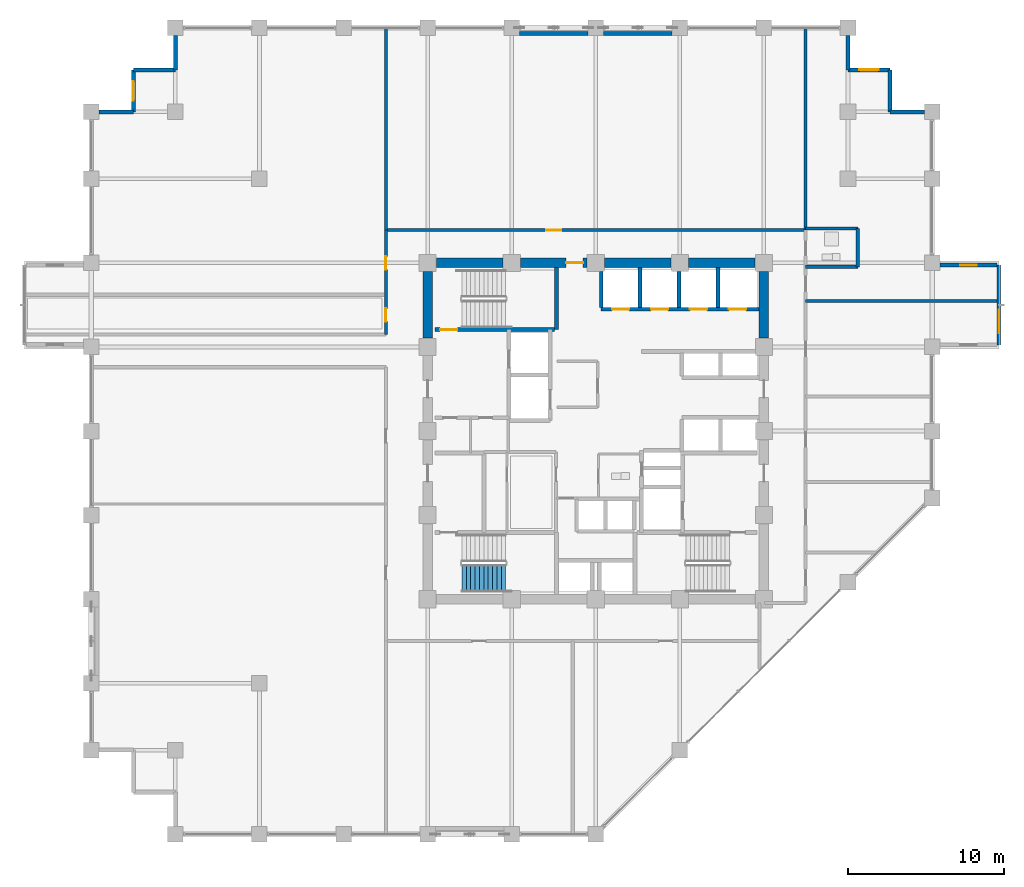
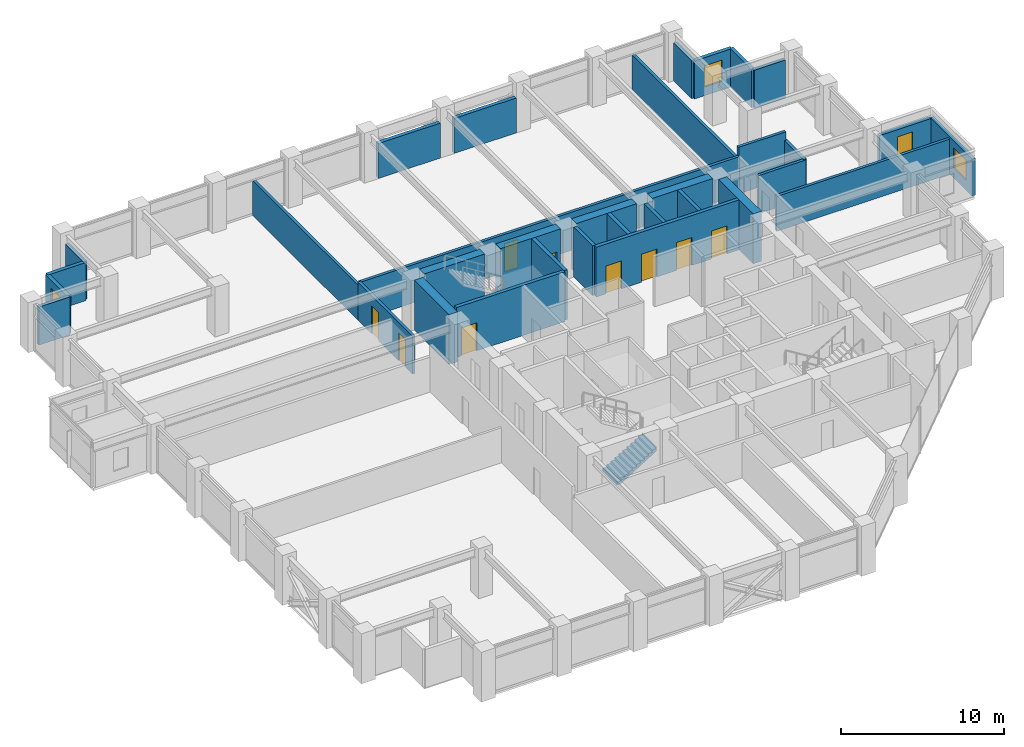
# One storey, part 24 of 29: 33 walls, 9 doors, 4 windows, 1 stair flight, 13 openings, 1 element without a shape of its own.
"""IFC4 building model written with IfcOpenShell, lengths in metres."""

from ifc_helpers import new_model, si_unit, direction, frame, frame_2d, origin, place, context, subcontext, project, spatial, polyline, rectangle, outline, extrude, material, layer, layer_set, type_object, element, fill, aggregate, save


model = new_model("IFC4")

# Units and contexts
model_context = context("Model", 3, precision=1e-05, world=origin(), true_north=direction((0.0, 1.0)))
body_context = subcontext(model_context, "Body", "Model", "MODEL_VIEW")
ifc_project = project(units=[si_unit("LENGTHUNIT", "METRE"), si_unit("AREAUNIT", "SQUARE_METRE"), si_unit("VOLUMEUNIT", "CUBIC_METRE"), si_unit("PLANEANGLEUNIT", "RADIAN"), si_unit("MASSUNIT", "GRAM", prefix="KILO")], contexts=[model_context])

# Site, building, storey
site_placement = place(None, origin())
site = spatial("IfcSite", under=ifc_project, at=site_placement, CompositionType="ELEMENT")
building_placement = place(site_placement, origin())
building = spatial("IfcBuilding", under=site, at=building_placement, Name="Surkhivell Harbour Commons", CompositionType="ELEMENT")
storey_placement = place(building_placement, frame((0.0, 0.0, 158.25)))
storey = spatial("IfcBuildingStorey", under=building, at=storey_placement, Name="L41", CompositionType="ELEMENT", Elevation=158.25)

# Wall
ifc_material_1 = material(Name="Concrete C60/75", Category="concrete")
ifc_layer_1 = layer(ifc_material_1, 0.60009765625)
ifc_layer_set_1 = layer_set([ifc_layer_1], Name="Concrete C60/75")
wall_type_1 = type_object("IfcWallType", Name="WAL-CORE-600", PredefinedType="SHEAR", material=ifc_layer_set_1)
wall_1_placement = place(storey_placement, frame((-10.239990234375, 10.800048828125, 0.0), z_axis=(0.0, 0.0, 1.0), x_axis=(1.0, 0.0, 0.0)))
element("IfcWall", 1, at=wall_1_placement, inside=storey, type_object=wall_type_1, Name="L41 Core Shear Wall North 1", PredefinedType="SHEAR", context=body_context, shape_type="SweptSolid", body=[
    extrude(rectangle(XDim=4.280029296875, YDim=0.60009765625, at=frame_2d((2.14013671875, 0.0))), origin(), (0.0, 0.0, 1.0), 3.75),
])

# Wall, opening, door
wall_2_placement = place(storey_placement, frame((-4.840087890625, 10.800048828125, 0.0), z_axis=(0.0, 0.0, 1.0), x_axis=(1.0, 0.0, 0.0)))
wall_2 = element("IfcWall", 2, at=wall_2_placement, inside=storey, type_object=wall_type_1, Name="L41 Core Shear Wall North 2", PredefinedType="SHEAR", context=body_context, shape_type="SweptSolid", body=[
    extrude(rectangle(XDim=4.280029296875, YDim=0.60009765625, at=frame_2d((2.14013671875, 0.0))), origin(), (0.0, 0.0, 1.0), 3.75),
])
opening_1_placement = place(wall_2_placement, frame((2.929931640625, 0.0, 0.0)))
opening_1 = element("IfcOpeningElement", 3, at=opening_1_placement, cuts=wall_2, Name="Opening ID-2", PredefinedType="OPENING", context=body_context, shape_type="SweptSolid", body=[
    extrude(rectangle(XDim=1.10009765625, YDim=2.10009765625, at=frame_2d((0.550048828125, 1.050048828125))), frame((0.0, 0.31005859375, 0.0), z_axis=(0.0, -1.0, 0.0), x_axis=(1.0, 0.0, 0.0)), (0.0, 0.0, 1.0), 0.6201171875),
])
ifc_material_2 = material(Name="Hardwood-veneered fire-rated door leaf", Category="wood")
door_type_1 = type_object("IfcDoorType", Name="DOR-FD60-1100", OperationType="NOTDEFINED", PredefinedType="DOOR", material=ifc_material_2)
door_1_placement = place(opening_1_placement, origin())
door_1 = element("IfcDoor", 4, at=door_1_placement, inside=storey, type_object=door_type_1, Name="L41 Central Core Lift Hall North Corridor Door", OperationType="SINGLE_SWING_LEFT", OverallHeight=2.10009765625, OverallWidth=1.10009765625, PredefinedType="DOOR", context=body_context, shape_type="SweptSolid", body=[
    extrude(rectangle(XDim=1.10009765625, YDim=2.10009765625, at=frame_2d((0.550048828125, 1.050048828125))), frame((0.0, 0.02490234375, 0.0), z_axis=(0.0, -1.0, 0.0), x_axis=(1.0, 0.0, 0.0)), (0.0, 0.0, 1.0), 0.050048828125),
])
fill(opening_1, door_1)

# Walls
for number, where, z_axis, x_axis, name in (
    (5, (0.56005859375, 10.800048828125, 0.0), (0.0, 0.0, 1.0), (1.0, 0.0, 0.0), "L41 Core Shear Wall North 3"),
    (6, (5.9599609375, 10.800048828125, 0.0), (0.0, 0.0, 1.0), (1.0, 0.0, 0.0), "L41 Core Shear Wall North 4"),
    (7, (-10.800048828125, 5.9599609375, 0.0), (0.0, 0.0, 1.0), (0.0, 1.0, 0.0), "L41 Core Shear Wall West 4"),
    (8, (10.800048828125, 5.9599609375, 0.0), (0.0, 0.0, 1.0), (0.0, 1.0, 0.0), "L41 Core Shear Wall East 4"),
):
    element("IfcWall", number, at=place(storey_placement, frame(where, z_axis=z_axis, x_axis=x_axis)), inside=storey, type_object=wall_type_1, Name=name, PredefinedType="SHEAR", context=body_context, shape_type="SweptSolid", body=[
        extrude(rectangle(XDim=4.280029296875, YDim=0.60009765625, at=frame_2d((2.14013671875, 0.0))), origin(), (0.0, 0.0, 1.0), 3.75),
    ])
ifc_material_3 = material(Name="Pale-metal insulated precast concrete C45/55", Category="concrete")
ifc_layer_2 = layer(ifc_material_3, 0.260009765625)
ifc_layer_set_2 = layer_set([ifc_layer_2], Name="Pale-metal insulated precast concrete C45/55")
wall_type_2 = type_object("IfcWallType", Name="WAL-EXT-MTL260", PredefinedType="STANDARD", material=ifc_layer_set_2)
wall_3_placement = place(storey_placement, frame((21.10205078125, 20.5, 0.0), z_axis=(0.0, 0.0, 1.0), x_axis=(-1.0, 0.0, 0.0)))
element("IfcWall", 9, at=wall_3_placement, inside=storey, type_object=wall_type_2, Name="L41 Serrated Corner Facade Wall 03", PredefinedType="STANDARD", context=body_context, shape_type="SweptSolid", body=[
    extrude(rectangle(XDim=2.2021484375, YDim=0.260009765625, at=frame_2d((1.10107421875, 0.0))), origin(), (0.0, 0.0, 1.0), 2.863037109375),
])
wall_4_placement = place(storey_placement, frame((18.89990234375, 20.5, 0.0), z_axis=(0.0, 0.0, 1.0), x_axis=(0.0, 1.0, 0.0)))
element("IfcWall", 10, at=wall_4_placement, inside=storey, type_object=wall_type_2, Name="L41 Serrated Corner Facade Wall 04", PredefinedType="STANDARD", context=body_context, shape_type="SweptSolid", body=[
    extrude(rectangle(XDim=2.699951171875, YDim=0.260009765625, at=frame_2d((1.35009765625, 0.0))), origin(), (0.0, 0.0, 1.0), 2.863037109375),
])

# Wall, opening, window
wall_5_placement = place(storey_placement, frame((18.89990234375, 23.199951171875, 0.0), z_axis=(0.0, 0.0, 1.0), x_axis=(-1.0, 0.0, 0.0)))
wall_5 = element("IfcWall", 11, at=wall_5_placement, inside=storey, type_object=wall_type_2, Name="L41 Serrated Corner Facade Wall 05", PredefinedType="STANDARD", context=body_context, shape_type="SweptSolid", body=[
    extrude(rectangle(XDim=2.699951171875, YDim=0.260009765625, at=frame_2d((1.35009765625, 0.0))), origin(), (0.0, 0.0, 1.0), 2.863037109375),
])
opening_2_placement = place(wall_5_placement, frame((0.72509765625, 0.0, 0.64990234375)))
opening_2 = element("IfcOpeningElement", 12, at=opening_2_placement, cuts=wall_5, Name="Opening WN-09", PredefinedType="OPENING", context=body_context, shape_type="SweptSolid", body=[
    extrude(rectangle(XDim=1.25, YDim=1.60009765625, at=frame_2d((0.625, 0.800048828125))), frame((0.0, 0.139892578125, 0.0), z_axis=(0.0, -1.0, 0.0), x_axis=(1.0, 0.0, 0.0)), (0.0, 0.0, 1.0), 0.280029296875),
])
ifc_material_4 = material(Name="Thermal-break aluminium frame and double low-E glazing", Category="aluminium")
window_type_1 = type_object("IfcWindowType", Name="WIN-SER-1250x1600", PartitioningType="SINGLE_PANEL", PredefinedType="WINDOW", material=ifc_material_4)
window_1_placement = place(opening_2_placement, origin())
window_1 = element("IfcWindow", 13, at=window_1_placement, inside=storey, type_object=window_type_1, Name="L41 Serrated Alcove Window 05", OverallHeight=1.60009765625, OverallWidth=1.25, PartitioningType="SINGLE_PANEL", PredefinedType="WINDOW", context=body_context, shape_type="SweptSolid", body=[
    extrude(rectangle(XDim=1.25, YDim=1.60009765625, at=frame_2d((0.625, 0.800048828125))), frame((0.0, 0.030029296875, 0.0), z_axis=(0.0, -1.0, 0.0), x_axis=(1.0, 0.0, 0.0)), (0.0, 0.0, 1.0), 0.06005859375),
])
fill(opening_2, window_1)

# Walls
wall_6_placement = place(storey_placement, frame((16.199951171875, 23.199951171875, 0.0), z_axis=(0.0, 0.0, 1.0), x_axis=(0.0, 1.0, 0.0)))
element("IfcWall", 14, at=wall_6_placement, inside=storey, type_object=wall_type_2, Name="L41 Serrated Corner Facade Wall 06", PredefinedType="STANDARD", context=body_context, shape_type="SweptSolid", body=[
    extrude(rectangle(XDim=2.2021484375, YDim=0.260009765625, at=frame_2d((1.10107421875, 0.0))), origin(), (0.0, 0.0, 1.0), 2.863037109375),
])
for number, where, z_axis, x_axis, name in (
    (15, (-0.498046875, 25.5400390625, 0.0), (0.0, 0.0, 1.0), (-1.0, 0.0, 0.0), "L41 Braced-Bay Insulated Spandrel Backing N"),
    (16, (4.902099609375, 25.5400390625, 0.0), (0.0, 0.0, 1.0), (-1.0, 0.0, 0.0), "L41 Braced-Bay Insulated Spandrel Backing N2"),
):
    element("IfcWall", number, at=place(storey_placement, frame(where, z_axis=z_axis, x_axis=x_axis)), inside=storey, type_object=wall_type_2, Name=name, PredefinedType="STANDARD", context=body_context, shape_type="SweptSolid", body=[
        extrude(rectangle(XDim=4.404052734375, YDim=0.260009765625, at=frame_2d((2.2021484375, 0.0))), origin(), (0.0, 0.0, 1.0), 2.62890625),
    ])
wall_7_placement = place(storey_placement, frame((-27.0, 25.402099609375, 0.0), z_axis=(0.0, 0.0, 1.0), x_axis=(0.0, -1.0, 0.0)))
element("IfcWall", 17, at=wall_7_placement, inside=storey, type_object=wall_type_2, Name="L41 Serrated Corner Facade Wall 08", PredefinedType="STANDARD", context=body_context, shape_type="SweptSolid", body=[
    extrude(rectangle(XDim=2.2021484375, YDim=0.260009765625, at=frame_2d((1.10107421875, 0.0))), origin(), (0.0, 0.0, 1.0), 2.863037109375),
])
wall_8_placement = place(storey_placement, frame((-27.0, 23.199951171875, 0.0), z_axis=(0.0, 0.0, 1.0), x_axis=(-1.0, 0.0, 0.0)))
element("IfcWall", 18, at=wall_8_placement, inside=storey, type_object=wall_type_2, Name="L41 Serrated Corner Facade Wall 09", PredefinedType="STANDARD", context=body_context, shape_type="SweptSolid", body=[
    extrude(rectangle(XDim=2.699951171875, YDim=0.260009765625, at=frame_2d((1.35009765625, 0.0))), origin(), (0.0, 0.0, 1.0), 2.863037109375),
])

# Wall, opening, window
wall_9_placement = place(storey_placement, frame((-29.699951171875, 23.199951171875, 0.0), z_axis=(0.0, 0.0, 1.0), x_axis=(0.0, -1.0, 0.0)))
wall_9 = element("IfcWall", 19, at=wall_9_placement, inside=storey, type_object=wall_type_2, Name="L41 Serrated Corner Facade Wall 10", PredefinedType="STANDARD", context=body_context, shape_type="SweptSolid", body=[
    extrude(rectangle(XDim=2.699951171875, YDim=0.260009765625, at=frame_2d((1.35009765625, 0.0))), origin(), (0.0, 0.0, 1.0), 2.863037109375),
])
opening_3_placement = place(wall_9_placement, frame((0.72509765625, 0.0, 0.64990234375)))
opening_3 = element("IfcOpeningElement", 20, at=opening_3_placement, cuts=wall_9, Name="Opening WN-09", PredefinedType="OPENING", context=body_context, shape_type="SweptSolid", body=[
    extrude(rectangle(XDim=1.25, YDim=1.60009765625, at=frame_2d((0.625, 0.800048828125))), frame((0.0, 0.139892578125, 0.0), z_axis=(0.0, -1.0, 0.0), x_axis=(1.0, 0.0, 0.0)), (0.0, 0.0, 1.0), 0.280029296875),
])
window_2_placement = place(opening_3_placement, origin())
window_2 = element("IfcWindow", 21, at=window_2_placement, inside=storey, type_object=window_type_1, Name="L41 Serrated Alcove Window 10", OverallHeight=1.60009765625, OverallWidth=1.25, PartitioningType="SINGLE_PANEL", PredefinedType="WINDOW", context=body_context, shape_type="SweptSolid", body=[
    extrude(rectangle(XDim=1.25, YDim=1.60009765625, at=frame_2d((0.625, 0.800048828125))), frame((0.0, 0.030029296875, 0.0), z_axis=(0.0, -1.0, 0.0), x_axis=(1.0, 0.0, 0.0)), (0.0, 0.0, 1.0), 0.06005859375),
])
fill(opening_3, window_2)

# Wall
wall_10_placement = place(storey_placement, frame((-29.699951171875, 20.5, 0.0), z_axis=(0.0, 0.0, 1.0), x_axis=(-1.0, 0.0, 0.0)))
element("IfcWall", 22, at=wall_10_placement, inside=storey, type_object=wall_type_2, Name="L41 Serrated Corner Facade Wall 11", PredefinedType="STANDARD", context=body_context, shape_type="SweptSolid", body=[
    extrude(rectangle(XDim=2.2021484375, YDim=0.260009765625, at=frame_2d((1.10107421875, 0.0))), origin(), (0.0, 0.0, 1.0), 2.863037109375),
])

# Wall, opening, window
ifc_material_5 = material(Name="Bronze-ochre cassette precast concrete C45/55", Category="concrete")
ifc_layer_3 = layer(ifc_material_5, 0.239990234375)
ifc_layer_set_3 = layer_set([ifc_layer_3], Name="Bronze-ochre cassette precast concrete C45/55")
wall_type_3 = type_object("IfcWallType", Name="WAL-EXT-OCH240", PredefinedType="STANDARD", material=ifc_layer_set_3)
wall_11_placement = place(storey_placement, frame((25.89990234375, 5.52001953125, 0.0), z_axis=(0.0, 0.0, 1.0), x_axis=(0.0, 1.0, 0.0)))
wall_11 = element("IfcWall", 23, at=wall_11_placement, inside=storey, type_object=wall_type_3, Name="L41 Coloured Box Front Wall 01", PredefinedType="STANDARD", context=body_context, shape_type="SweptSolid", body=[
    extrude(rectangle(XDim=5.159912109375, YDim=0.239990234375, at=frame_2d((2.580078125, 0.0))), origin(), (0.0, 0.0, 1.0), 2.787109375),
])
opening_4_placement = place(wall_11_placement, frame((0.7548828125, 0.0, 0.75)))
opening_4 = element("IfcOpeningElement", 24, at=opening_4_placement, cuts=wall_11, Name="Opening WN-13", PredefinedType="OPENING", context=body_context, shape_type="SweptSolid", body=[
    extrude(rectangle(XDim=1.5, YDim=1.5, at=frame_2d((0.75, 0.75))), frame((0.0, 0.1298828125, 0.0), z_axis=(0.0, -1.0, 0.0), x_axis=(1.0, 0.0, 0.0)), (0.0, 0.0, 1.0), 0.260009765625),
])
window_type_2 = type_object("IfcWindowType", Name="WIN-BOX-1500x1500", PartitioningType="SINGLE_PANEL", PredefinedType="WINDOW", material=ifc_material_4)
window_3_placement = place(opening_4_placement, origin())
window_3 = element("IfcWindow", 25, at=window_3_placement, inside=storey, type_object=window_type_2, Name="L41 Coloured Box Square Window 01-1", OverallHeight=1.5, OverallWidth=1.5, PartitioningType="SINGLE_PANEL", PredefinedType="WINDOW", context=body_context, shape_type="SweptSolid", body=[
    extrude(rectangle(XDim=1.5, YDim=1.5, at=frame_2d((0.75, 0.75))), frame((0.0, 0.030029296875, 0.0), z_axis=(0.0, -1.0, 0.0), x_axis=(1.0, 0.0, 0.0)), (0.0, 0.0, 1.0), 0.06005859375),
])
fill(opening_4, window_3)

wall_12_placement = place(storey_placement, frame((22.10400390625, 10.659912109375, 0.0), z_axis=(0.0, 0.0, 1.0), x_axis=(1.0, 0.0, 0.0)))
wall_12 = element("IfcWall", 26, at=wall_12_placement, inside=storey, type_object=wall_type_3, Name="L41 Coloured Box Return Wall 01N", PredefinedType="STANDARD", context=body_context, shape_type="SweptSolid", body=[
    extrude(rectangle(XDim=3.656005859375, YDim=0.239990234375, at=frame_2d((1.828125, 0.0))), origin(), (0.0, 0.0, 1.0), 2.787109375),
])
opening_5_placement = place(wall_12_placement, frame((1.302978515625, 0.0, 0.75)))
opening_5 = element("IfcOpeningElement", 27, at=opening_5_placement, cuts=wall_12, Name="Opening WN-11", PredefinedType="OPENING", context=body_context, shape_type="SweptSolid", body=[
    extrude(rectangle(XDim=1.050048828125, YDim=1.5, at=frame_2d((0.52490234375, 0.75))), frame((0.0, 0.1298828125, 0.0), z_axis=(0.0, -1.0, 0.0), x_axis=(1.0, 0.0, 0.0)), (0.0, 0.0, 1.0), 0.260009765625),
])
window_type_3 = type_object("IfcWindowType", Name="WIN-SER-1050x1500", PartitioningType="SINGLE_PANEL", PredefinedType="WINDOW", material=ifc_material_4)
window_4_placement = place(opening_5_placement, origin())
window_4 = element("IfcWindow", 28, at=window_4_placement, inside=storey, type_object=window_type_3, Name="L41 Coloured Box Return Window 01N", OverallHeight=1.5, OverallWidth=1.050048828125, PartitioningType="SINGLE_PANEL", PredefinedType="WINDOW", context=body_context, shape_type="SweptSolid", body=[
    extrude(rectangle(XDim=1.050048828125, YDim=1.5, at=frame_2d((0.52490234375, 0.75))), frame((0.0, 0.030029296875, 0.0), z_axis=(0.0, -1.0, 0.0), x_axis=(1.0, 0.0, 0.0)), (0.0, 0.0, 1.0), 0.06005859375),
])
fill(opening_5, window_4)

# Walls
ifc_material_6 = material(Name="Autoclaved aerated concrete blockwork and fire plaster", Category="masonry")
ifc_layer_4 = layer(ifc_material_6, 0.199951171875)
ifc_layer_set_4 = layer_set([ifc_layer_4], Name="Autoclaved aerated concrete blockwork and fire plaster")
wall_type_4 = type_object("IfcWallType", Name="WAL-INT-200", PredefinedType="PARTITIONING", material=ifc_layer_set_4)
for number, where, z_axis, x_axis, name in (
    (29, (13.47998046875, 12.89990234375, 0.0), (0.0, 0.0, 1.0), (0.0, 1.0, 0.0), "L41 North-East Wing Corner Divider"),
    (30, (-13.47998046875, 12.89990234375, 0.0), (0.0, 0.0, 1.0), (0.0, 1.0, 0.0), "L41 North-West Wing Corner Divider"),
):
    element("IfcWall", number, at=place(storey_placement, frame(where, z_axis=z_axis, x_axis=x_axis)), inside=storey, type_object=wall_type_4, Name=name, PredefinedType="PARTITIONING", context=body_context, shape_type="SweptSolid", body=[
        extrude(rectangle(XDim=12.940185546875, YDim=0.199951171875, at=frame_2d((6.47021484375, 0.0))), origin(), (0.0, 0.0, 1.0), 2.62890625),
    ])

# Wall, opening, door
wall_13_placement = place(storey_placement, frame((-13.47998046875, 12.89990234375, 0.0), z_axis=(0.0, 0.0, 1.0), x_axis=(1.0, 0.0, 0.0)))
wall_13 = element("IfcWall", 31, at=wall_13_placement, inside=storey, type_object=wall_type_4, Name="L41 Corridor North Wall", PredefinedType="PARTITIONING", context=body_context, shape_type="SweptSolid", body=[
    extrude(rectangle(XDim=26.9599609375, YDim=0.199951171875, at=frame_2d((13.47998046875, 0.0))), origin(), (0.0, 0.0, 1.0), 2.863037109375),
])
opening_6_placement = place(wall_13_placement, frame((10.2998046875, 0.0, 0.0)))
opening_6 = element("IfcOpeningElement", 32, at=opening_6_placement, cuts=wall_13, Name="Opening ID-4", PredefinedType="OPENING", context=body_context, shape_type="SweptSolid", body=[
    extrude(rectangle(XDim=0.949951171875, YDim=2.10009765625, at=frame_2d((0.47509765625, 1.050048828125))), frame((0.0, 0.10986328125, 0.0), z_axis=(0.0, -1.0, 0.0), x_axis=(1.0, 0.0, 0.0)), (0.0, 0.0, 1.0), 0.219970703125),
])
door_type_2 = type_object("IfcDoorType", Name="DOR-FD60-950", OperationType="NOTDEFINED", PredefinedType="DOOR", material=ifc_material_2)
door_2_placement = place(opening_6_placement, origin())
door_2 = element("IfcDoor", 33, at=door_2_placement, inside=storey, type_object=door_type_2, Name="L41 Harbour Social Lounge North Door", OperationType="SINGLE_SWING_LEFT", OverallHeight=2.10009765625, OverallWidth=0.949951171875, PredefinedType="DOOR", context=body_context, shape_type="SweptSolid", body=[
    extrude(rectangle(XDim=0.949951171875, YDim=2.10009765625, at=frame_2d((0.47509765625, 1.050048828125))), frame((0.0, 0.02490234375, 0.0), z_axis=(0.0, -1.0, 0.0), x_axis=(1.0, 0.0, 0.0)), (0.0, 0.0, 1.0), 0.050048828125),
])
fill(opening_6, door_2)

# Wall, openings, doors
wall_14_placement = place(storey_placement, frame((-13.47998046875, 6.199951171875, 0.0), z_axis=(0.0, 0.0, 1.0), x_axis=(0.0, 1.0, 0.0)))
wall_14 = element("IfcWall", 34, at=wall_14_placement, inside=storey, type_object=wall_type_4, Name="L41 Corridor West-Upper Wall", PredefinedType="PARTITIONING", context=body_context, shape_type="SweptSolid", body=[
    extrude(rectangle(XDim=6.699951171875, YDim=0.199951171875, at=frame_2d((3.35009765625, 0.0))), origin(), (0.0, 0.0, 1.0), 2.863037109375),
])
opening_7_placement = place(wall_14_placement, frame((0.824951171875, 0.0, 0.0)))
opening_7 = element("IfcOpeningElement", 35, at=opening_7_placement, cuts=wall_14, Name="Opening ID-6", PredefinedType="OPENING", context=body_context, shape_type="SweptSolid", body=[
    extrude(rectangle(XDim=0.85009765625, YDim=2.10009765625, at=frame_2d((0.425048828125, 1.050048828125))), frame((0.0, 0.10986328125, 0.0), z_axis=(0.0, -1.0, 0.0), x_axis=(1.0, 0.0, 0.0)), (0.0, 0.0, 1.0), 0.219970703125),
])
opening_8_placement = place(wall_14_placement, frame((4.175048828125, 0.0, 0.0)))
opening_8 = element("IfcOpeningElement", 36, at=opening_8_placement, cuts=wall_14, Name="Opening ID-6", PredefinedType="OPENING", context=body_context, shape_type="SweptSolid", body=[
    extrude(rectangle(XDim=0.85009765625, YDim=2.10009765625, at=frame_2d((0.425048828125, 1.050048828125))), frame((0.0, 0.10986328125, 0.0), z_axis=(0.0, -1.0, 0.0), x_axis=(1.0, 0.0, 0.0)), (0.0, 0.0, 1.0), 0.219970703125),
])
door_type_3 = type_object("IfcDoorType", Name="DOR-FD30-850", OperationType="NOTDEFINED", PredefinedType="DOOR", material=ifc_material_2)
door_3_placement = place(opening_7_placement, origin())
door_3 = element("IfcDoor", 37, at=door_3_placement, inside=storey, type_object=door_type_3, Name="L41 Harbour Reading Library North-West Door", OperationType="SINGLE_SWING_LEFT", OverallHeight=2.10009765625, OverallWidth=0.85009765625, PredefinedType="DOOR", context=body_context, shape_type="SweptSolid", body=[
    extrude(rectangle(XDim=0.85009765625, YDim=2.10009765625, at=frame_2d((0.425048828125, 1.050048828125))), frame((0.0, 0.02490234375, 0.0), z_axis=(0.0, -1.0, 0.0), x_axis=(1.0, 0.0, 0.0)), (0.0, 0.0, 1.0), 0.050048828125),
])
fill(opening_7, door_3)
door_4_placement = place(opening_8_placement, origin())
door_4 = element("IfcDoor", 38, at=door_4_placement, inside=storey, type_object=door_type_3, Name="L41 Communal Dining Hall North-West Door", OperationType="SINGLE_SWING_RIGHT", OverallHeight=2.10009765625, OverallWidth=0.85009765625, PredefinedType="DOOR", context=body_context, shape_type="SweptSolid", body=[
    extrude(rectangle(XDim=0.85009765625, YDim=2.10009765625, at=frame_2d((0.425048828125, 1.050048828125))), frame((0.0, 0.02490234375, 0.0), z_axis=(0.0, -1.0, 0.0), x_axis=(1.0, 0.0, 0.0)), (0.0, 0.0, 1.0), 0.050048828125),
])
fill(opening_8, door_4)

# Walls
wall_15_placement = place(storey_placement, frame((16.830078125, 10.550048828125, 0.0), z_axis=(0.0, 0.0, 1.0), x_axis=(0.0, 1.0, 0.0)))
element("IfcWall", 39, at=wall_15_placement, inside=storey, type_object=wall_type_4, Name="L41 East Partition BTHB", PredefinedType="PARTITIONING", context=body_context, shape_type="SweptSolid", body=[
    extrude(rectangle(XDim=2.449951171875, YDim=0.199951171875, at=frame_2d((1.22509765625, 0.0))), origin(), (0.0, 0.0, 1.0), 2.863037109375),
])
wall_16_placement = place(storey_placement, frame((13.47998046875, 13.0, 0.0), z_axis=(0.0, 0.0, 1.0), x_axis=(1.0, 0.0, 0.0)))
element("IfcWall", 40, at=wall_16_placement, inside=storey, type_object=wall_type_4, Name="L41 East Partition BTHN", PredefinedType="PARTITIONING", context=body_context, shape_type="SweptSolid", body=[
    extrude(rectangle(XDim=3.35009765625, YDim=0.199951171875, at=frame_2d((1.675048828125, 0.0))), origin(), (0.0, 0.0, 1.0), 3.5),
])
wall_17_placement = place(storey_placement, frame((13.47998046875, 10.550048828125, 0.0), z_axis=(0.0, 0.0, 1.0), x_axis=(1.0, 0.0, 0.0)))
element("IfcWall", 41, at=wall_17_placement, inside=storey, type_object=wall_type_4, Name="L41 East Partition BTHS", PredefinedType="PARTITIONING", context=body_context, shape_type="SweptSolid", body=[
    extrude(rectangle(XDim=3.35009765625, YDim=0.199951171875, at=frame_2d((1.675048828125, 0.0))), origin(), (0.0, 0.0, 1.0), 2.863037109375),
])
wall_18_placement = place(storey_placement, frame((13.47998046875, 8.35009765625, 0.0), z_axis=(0.0, 0.0, 1.0), x_axis=(1.0, 0.0, 0.0)))
element("IfcWall", 42, at=wall_18_placement, inside=storey, type_object=wall_type_4, Name="L41 East Partition PTOP", PredefinedType="PARTITIONING", context=body_context, shape_type="SweptSolid", body=[
    extrude(rectangle(XDim=12.360107421875, YDim=0.199951171875, at=frame_2d((6.18017578125, 0.0))), origin(), (0.0, 0.0, 1.0), 2.62890625),
])
ifc_material_7 = material(Name="Concrete C50/60", Category="concrete")
ifc_layer_5 = layer(ifc_material_7, 0.25)
ifc_layer_set_5 = layer_set([ifc_layer_5], Name="Concrete C50/60")
wall_type_5 = type_object("IfcWallType", Name="WAL-SHAFT-250", PredefinedType="SHEAR", material=ifc_layer_set_5)
wall_19_placement = place(storey_placement, frame((2.85009765625, 7.93994140625, 0.0), z_axis=(0.0, 0.0, 1.0), x_axis=(0.0, 1.0, 0.0)))
element("IfcWall", 43, at=wall_19_placement, inside=storey, type_object=wall_type_5, Name="L41 Low-Rise Hoistway Wall", PredefinedType="SHEAR", context=body_context, shape_type="SweptSolid", body=[
    extrude(rectangle(XDim=2.56005859375, YDim=0.25, at=frame_2d((1.280029296875, 0.0))), origin(), (0.0, 0.0, 1.0), 3.75),
])
for number, where, z_axis, x_axis, name in (
    (44, (0.35009765625, 7.93994140625, 0.0), (0.0, 0.0, 1.0), (0.0, 1.0, 0.0), "L41 Low-Rise Hoistway Wall"),
    (45, (5.35009765625, 7.93994140625, 0.0), (0.0, 0.0, 1.0), (0.0, 1.0, 0.0), "L41 Low-Rise Hoistway Wall"),
):
    element("IfcWall", number, at=place(storey_placement, frame(where, z_axis=z_axis, x_axis=x_axis)), inside=storey, type_object=wall_type_5, Name=name, PredefinedType="SHEAR", context=body_context, shape_type="SweptSolid", body=[
        extrude(rectangle(XDim=2.31005859375, YDim=0.25, at=frame_2d((1.155029296875, 0.0))), origin(), (0.0, 0.0, 1.0), 3.75),
    ])
wall_20_placement = place(storey_placement, frame((7.85009765625, 7.93994140625, 0.0), z_axis=(0.0, 0.0, 1.0), x_axis=(0.0, 1.0, 0.0)))
element("IfcWall", 46, at=wall_20_placement, inside=storey, type_object=wall_type_5, Name="L41 Low-Rise Hoistway Wall", PredefinedType="SHEAR", context=body_context, shape_type="SweptSolid", body=[
    extrude(rectangle(XDim=2.56005859375, YDim=0.25, at=frame_2d((1.280029296875, 0.0))), origin(), (0.0, 0.0, 1.0), 3.75),
])

# Wall, openings, doors
wall_21_placement = place(storey_placement, frame((0.35009765625, 7.820068359375, 0.0), z_axis=(0.0, 0.0, 1.0), x_axis=(1.0, 0.0, 0.0)))
wall_21 = element("IfcWall", 47, at=wall_21_placement, inside=storey, type_object=wall_type_5, Name="L41 Low-Rise Lift Front Shaft Wall", PredefinedType="SHEAR", context=body_context, shape_type="SweptSolid", body=[
    extrude(rectangle(XDim=10.14990234375, YDim=0.25, at=frame_2d((5.074951171875, 0.0))), origin(), (0.0, 0.0, 1.0), 3.75),
])
opening_9_placement = place(wall_21_placement, frame((0.699951171875, 0.0, 0.0)))
opening_9 = element("IfcOpeningElement", 48, at=opening_9_placement, cuts=wall_21, Name="Opening LD-1", PredefinedType="OPENING", context=body_context, shape_type="SweptSolid", body=[
    extrude(rectangle(XDim=1.10009765625, YDim=2.10009765625, at=frame_2d((0.550048828125, 1.050048828125))), frame((0.0, 0.135009765625, 0.0), z_axis=(0.0, -1.0, 0.0), x_axis=(1.0, 0.0, 0.0)), (0.0, 0.0, 1.0), 0.27001953125),
])
opening_10_placement = place(wall_21_placement, frame((3.199951171875, 0.0, 0.0)))
opening_10 = element("IfcOpeningElement", 49, at=opening_10_placement, cuts=wall_21, Name="Opening LD-1", PredefinedType="OPENING", context=body_context, shape_type="SweptSolid", body=[
    extrude(rectangle(XDim=1.10009765625, YDim=2.10009765625, at=frame_2d((0.550048828125, 1.050048828125))), frame((0.0, 0.135009765625, 0.0), z_axis=(0.0, -1.0, 0.0), x_axis=(1.0, 0.0, 0.0)), (0.0, 0.0, 1.0), 0.27001953125),
])
opening_11_placement = place(wall_21_placement, frame((5.699951171875, 0.0, 0.0)))
opening_11 = element("IfcOpeningElement", 50, at=opening_11_placement, cuts=wall_21, Name="Opening LD-1", PredefinedType="OPENING", context=body_context, shape_type="SweptSolid", body=[
    extrude(rectangle(XDim=1.10009765625, YDim=2.10009765625, at=frame_2d((0.550048828125, 1.050048828125))), frame((0.0, 0.135009765625, 0.0), z_axis=(0.0, -1.0, 0.0), x_axis=(1.0, 0.0, 0.0)), (0.0, 0.0, 1.0), 0.27001953125),
])
opening_12_placement = place(wall_21_placement, frame((8.199951171875, 0.0, 0.0)))
opening_12 = element("IfcOpeningElement", 51, at=opening_12_placement, cuts=wall_21, Name="Opening LD-1", PredefinedType="OPENING", context=body_context, shape_type="SweptSolid", body=[
    extrude(rectangle(XDim=1.10009765625, YDim=2.10009765625, at=frame_2d((0.550048828125, 1.050048828125))), frame((0.0, 0.135009765625, 0.0), z_axis=(0.0, -1.0, 0.0), x_axis=(1.0, 0.0, 0.0)), (0.0, 0.0, 1.0), 0.27001953125),
])
ifc_material_8 = material(Name="Brushed stainless steel S355", Category="steel")
door_type_4 = type_object("IfcDoorType", Name="DOR-LD-1100", OperationType="SLIDING_TO_LEFT", PredefinedType="DOOR", material=ifc_material_8)
door_5_placement = place(opening_9_placement, origin())
door_5 = element("IfcDoor", 52, at=door_5_placement, inside=storey, type_object=door_type_4, Name="L41 Lift Landing Door LD-PL1", OperationType="SLIDING_TO_LEFT", OverallHeight=2.10009765625, OverallWidth=1.10009765625, PredefinedType="DOOR", context=body_context, shape_type="SweptSolid", body=[
    extrude(rectangle(XDim=1.10009765625, YDim=2.10009765625, at=frame_2d((0.550048828125, 1.050048828125))), frame((0.0, 0.02490234375, 0.0), z_axis=(0.0, -1.0, 0.0), x_axis=(1.0, 0.0, 0.0)), (0.0, 0.0, 1.0), 0.050048828125),
])
fill(opening_9, door_5)
door_6_placement = place(opening_10_placement, origin())
door_6 = element("IfcDoor", 53, at=door_6_placement, inside=storey, type_object=door_type_4, Name="L41 Lift Landing Door LD-PL2", OperationType="SLIDING_TO_LEFT", OverallHeight=2.10009765625, OverallWidth=1.10009765625, PredefinedType="DOOR", context=body_context, shape_type="SweptSolid", body=[
    extrude(rectangle(XDim=1.10009765625, YDim=2.10009765625, at=frame_2d((0.550048828125, 1.050048828125))), frame((0.0, 0.02490234375, 0.0), z_axis=(0.0, -1.0, 0.0), x_axis=(1.0, 0.0, 0.0)), (0.0, 0.0, 1.0), 0.050048828125),
])
fill(opening_10, door_6)
door_7_placement = place(opening_11_placement, origin())
door_7 = element("IfcDoor", 54, at=door_7_placement, inside=storey, type_object=door_type_4, Name="L41 Lift Landing Door LD-PL3", OperationType="SLIDING_TO_LEFT", OverallHeight=2.10009765625, OverallWidth=1.10009765625, PredefinedType="DOOR", context=body_context, shape_type="SweptSolid", body=[
    extrude(rectangle(XDim=1.10009765625, YDim=2.10009765625, at=frame_2d((0.550048828125, 1.050048828125))), frame((0.0, 0.02490234375, 0.0), z_axis=(0.0, -1.0, 0.0), x_axis=(1.0, 0.0, 0.0)), (0.0, 0.0, 1.0), 0.050048828125),
])
fill(opening_11, door_7)
door_8_placement = place(opening_12_placement, origin())
door_8 = element("IfcDoor", 55, at=door_8_placement, inside=storey, type_object=door_type_4, Name="L41 Lift Landing Door LD-PL4", OperationType="SLIDING_TO_LEFT", OverallHeight=2.10009765625, OverallWidth=1.10009765625, PredefinedType="DOOR", context=body_context, shape_type="SweptSolid", body=[
    extrude(rectangle(XDim=1.10009765625, YDim=2.10009765625, at=frame_2d((0.550048828125, 1.050048828125))), frame((0.0, 0.02490234375, 0.0), z_axis=(0.0, -1.0, 0.0), x_axis=(1.0, 0.0, 0.0)), (0.0, 0.0, 1.0), 0.050048828125),
])
fill(opening_12, door_8)

# Wall
wall_22_placement = place(storey_placement, frame((-2.510009765625, 6.510009765625, 0.0), z_axis=(0.0, 0.0, 1.0), x_axis=(0.0, 1.0, 0.0)))
element("IfcWall", 56, at=wall_22_placement, inside=storey, type_object=wall_type_5, Name="L41 Stair ST1 East Shear Wall", PredefinedType="SHEAR", context=body_context, shape_type="SweptSolid", body=[
    extrude(rectangle(XDim=3.989990234375, YDim=0.25, at=frame_2d((1.9951171875, 0.0))), origin(), (0.0, 0.0, 1.0), 3.75),
])

# Wall, opening, door
wall_23_placement = place(storey_placement, frame((-10.340087890625, 6.510009765625, 0.0), z_axis=(0.0, 0.0, 1.0), x_axis=(1.0, 0.0, 0.0)))
wall_23 = element("IfcWall", 57, at=wall_23_placement, inside=storey, type_object=wall_type_5, Name="L41 Stair ST1 South Shear Wall", PredefinedType="SHEAR", context=body_context, shape_type="SweptSolid", body=[
    extrude(rectangle(XDim=7.7001953125, YDim=0.25, at=frame_2d((3.85009765625, 0.0))), origin(), (0.0, 0.0, 1.0), 3.75),
])
opening_13_placement = place(wall_23_placement, frame((0.35009765625, 0.0, 0.0)))
opening_13 = element("IfcOpeningElement", 58, at=opening_13_placement, cuts=wall_23, Name="Opening ID-2", PredefinedType="OPENING", context=body_context, shape_type="SweptSolid", body=[
    extrude(rectangle(XDim=1.10009765625, YDim=2.10009765625, at=frame_2d((0.550048828125, 1.050048828125))), frame((0.0, 0.135009765625, 0.0), z_axis=(0.0, -1.0, 0.0), x_axis=(1.0, 0.0, 0.0)), (0.0, 0.0, 1.0), 0.27001953125),
])
door_9_placement = place(opening_13_placement, origin())
door_9 = element("IfcDoor", 59, at=door_9_placement, inside=storey, type_object=door_type_1, Name="L41 Stair ST1 Exit Door", OperationType="SINGLE_SWING_LEFT", OverallHeight=2.10009765625, OverallWidth=1.10009765625, PredefinedType="DOOR", context=body_context, shape_type="SweptSolid", body=[
    extrude(rectangle(XDim=1.10009765625, YDim=2.10009765625, at=frame_2d((0.550048828125, 1.050048828125))), frame((0.0, 0.02490234375, 0.0), z_axis=(0.0, -1.0, 0.0), x_axis=(1.0, 0.0, 0.0)), (0.0, 0.0, 1.0), 0.050048828125),
])
fill(opening_13, door_9)

# Stair, stair flight
ifc_material_9 = material(Name="Precast concrete C45/55", Category="concrete")
stair_type = type_object("IfcStairType", Name="STR-DL-375", PredefinedType="HALF_TURN_STAIR", material=ifc_material_9)
stair_placement = place(storey_placement, origin())
stair = element("IfcStair", 60, at=stair_placement, inside=storey, type_object=stair_type, Name="L41 Core Exit Stair ST3", PredefinedType="HALF_TURN_STAIR")
stair_flight_type = type_object("IfcStairFlightType", Name="STF-DL-375", PredefinedType="STRAIGHT", material=ifc_material_9)
stair_flight_placement = place(storey_placement, frame((-8.590087890625, -9.465087890625, 0.0), z_axis=(0.0, 0.0, 1.0), x_axis=(1.0, 0.0, 0.0)))
stair_flight = element("IfcStairFlight", 61, at=stair_flight_placement, type_object=stair_flight_type, Name="ST3 flight 1", NumberOfRisers=11, NumberOfTreads=10, PredefinedType="STRAIGHT", RiserHeight=0.170454545, TreadLength=0.28, context=body_context, shape_type="SweptSolid", body=[
    extrude(outline(polyline([(-0.0029296875, -0.034912109375), (-0.0029296875, 0.0), (0.0, 0.0), (0.0, 0.17041015625), (0.280029296875, 0.17041015625), (0.280029296875, 0.3408203125), (0.56005859375, 0.3408203125), (0.56005859375, 0.511474609375), (0.840087890625, 0.511474609375), (0.840087890625, 0.681884765625), (1.1201171875, 0.681884765625), (1.1201171875, 0.852294921875), (1.39990234375, 0.852294921875), (1.39990234375, 1.022705078125), (1.679931640625, 1.022705078125), (1.679931640625, 1.193115234375), (1.9599609375, 1.193115234375), (1.9599609375, 1.363525390625), (2.239990234375, 1.363525390625), (2.239990234375, 1.5341796875), (2.52001953125, 1.5341796875), (2.52001953125, 1.70458984375), (2.800048828125, 1.70458984375), (2.800048828125, 1.875), (2.802978515625, 1.875), (2.802978515625, 1.529052734375), (0.288330078125, -0.034912109375), (-0.0029296875, -0.034912109375)])), frame((0.0, 0.875, 0.0), z_axis=(0.0, -1.0, 0.0), x_axis=(1.0, 0.0, 0.0)), (0.0, 0.0, 1.0), 1.75),
])
aggregate(stair, [stair_flight])

save(model, "model.ifc")
